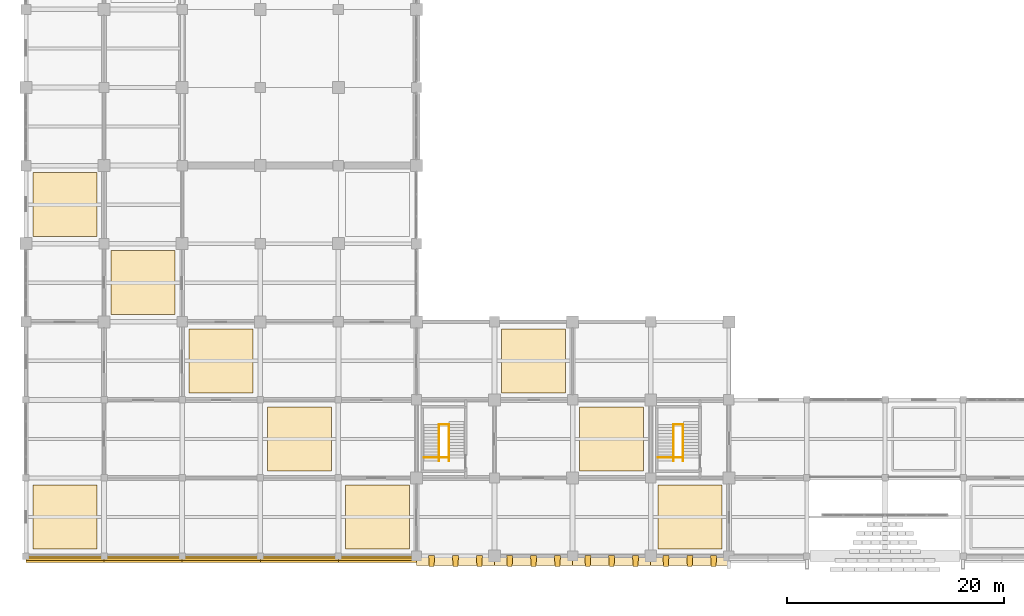
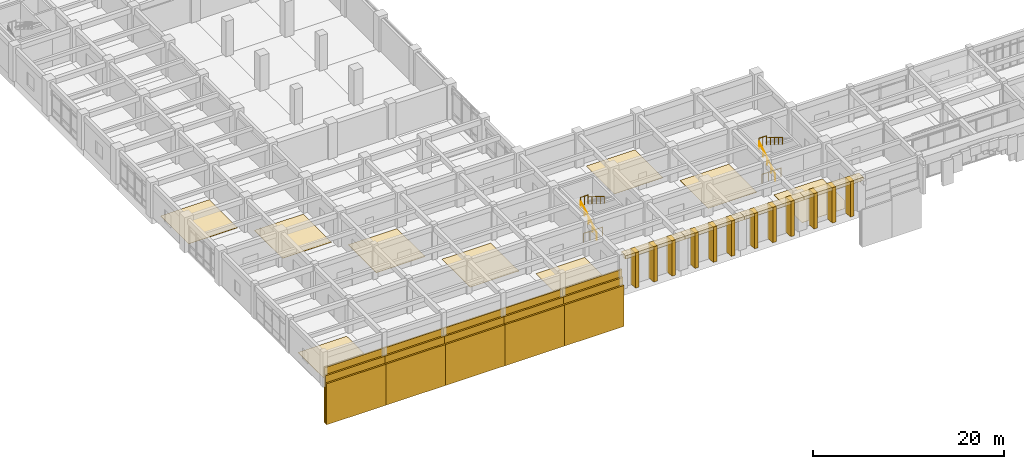
# One storey, part 73 of 81: 40 coverings, 8 railings.
"""IFC4 building model written with IfcOpenShell, lengths in metres."""

import ifcopenshell
import ifcopenshell.guid

model = None  # the IFC model being written
_history = None  # IfcOwnerHistory: only IFC2X3 demands one
_inside = {}  # id of a spatial element -> (the spatial element, [elements in it])
_under = {}  # id of a project, library or spatial element -> (it, [spatial elements below it])
_declared = {}  # id of a project -> (the project, [libraries it declares])
_typed = {}  # id of a type object -> (the type object, [elements of that type])
_made_of = {}  # id of a material, layer set ... -> (it, [elements and type objects made of it])


def new_model(schema):
    """Start an empty IFC model of exactly this schema.

    Asked for "IFC4X3", IfcOpenShell would pick the latest addendum, in which some entities
    have other attributes; the version numbers below select the first issue.
    IFC2X3 requires an IfcOwnerHistory on every rooted entity: one is made here for all.
    """
    global model, _history
    if schema == "IFC4X3":
        model = ifcopenshell.file(schema_version=(4, 3, 0, 0))
    else:
        model = ifcopenshell.file(schema=schema)
    _inside.clear()
    _under.clear()
    _declared.clear()
    _typed.clear()
    _made_of.clear()
    _history = None
    if model.schema == "IFC2X3":
        org = make("IfcOrganization", Name="unknown")
        user = make(
            "IfcPersonAndOrganization",
            ThePerson=make("IfcPerson", FamilyName="unknown"),
            TheOrganization=org,
        )
        app = make(
            "IfcApplication",
            ApplicationDeveloper=org,
            Version="unknown",
            ApplicationFullName="unknown",
            ApplicationIdentifier="unknown",
        )
        _history = make(
            "IfcOwnerHistory",
            OwningUser=user,
            OwningApplication=app,
            ChangeAction="ADDED",
            CreationDate=0,
        )
    return model


def make(cls, **values):
    """One entity of the class cls with the attributes given. An attribute that is None is left unset."""
    return model.create_entity(
        cls, **{name: value for name, value in values.items() if value is not None}
    )


def rooted(cls, **values):
    """An entity with a GlobalId (a new one), such as an element, a storey or a relation."""
    return make(cls, GlobalId=ifcopenshell.guid.new(), OwnerHistory=_history, **values)


def si_unit(unit_type, name, prefix=None):
    """IfcSIUnit, for example si_unit("LENGTHUNIT", "METRE", prefix="MILLI")."""
    return make("IfcSIUnit", UnitType=unit_type, Prefix=prefix, Name=name)


def assignment(units):
    """IfcUnitAssignment: the units of a project."""
    return None if units is None else make("IfcUnitAssignment", Units=units)


def point(xyz):
    """IfcCartesianPoint."""
    return None if xyz is None else make("IfcCartesianPoint", Coordinates=xyz)


def direction(xyz):
    """IfcDirection."""
    return None if xyz is None else make("IfcDirection", DirectionRatios=xyz)


def frame(location, z_axis=None, x_axis=None):
    """IfcAxis2Placement3D, a coordinate frame: its origin and axes. An axis left out is left unset."""
    return make(
        "IfcAxis2Placement3D",
        Location=point(location),
        Axis=direction(z_axis),
        RefDirection=direction(x_axis),
    )


def frame_2d(location, x_axis=None):
    """IfcAxis2Placement2D, a coordinate frame in the plane: its origin and x axis."""
    return make(
        "IfcAxis2Placement2D", Location=point(location), RefDirection=direction(x_axis)
    )


def origin():
    """The frame at (0, 0, 0) with its axes left unset."""
    return frame((0.0, 0.0, 0.0))


def origin_2d():
    """The frame at (0, 0) in the plane with its x axis left unset."""
    return frame_2d((0.0, 0.0))


def place(relative_to, where):
    """IfcLocalPlacement: puts the frame where relative to a parent placement (None: the world)."""
    return make(
        "IfcLocalPlacement", PlacementRelTo=relative_to, RelativePlacement=where
    )


def context(
    kind, dimensions, precision=None, world=None, true_north=None, identifier=None
):
    """IfcGeometricRepresentationContext, for example the 3D "Model" context."""
    return make(
        "IfcGeometricRepresentationContext",
        ContextIdentifier=identifier,
        ContextType=kind,
        CoordinateSpaceDimension=dimensions,
        Precision=precision,
        WorldCoordinateSystem=world,
        TrueNorth=true_north,
    )


def subcontext(parent, identifier, kind, view, scale=None):
    """IfcGeometricRepresentationSubContext, for example "Body" below "Model"."""
    return make(
        "IfcGeometricRepresentationSubContext",
        ContextIdentifier=identifier,
        ContextType=kind,
        ParentContext=parent,
        TargetScale=scale,
        TargetView=view,
    )


def project(units=None, contexts=None):
    """IfcProject with its units and contexts."""
    return rooted(
        "IfcProject",
        Name="project",
        RepresentationContexts=contexts,
        UnitsInContext=assignment(units),
    )


def spatial(cls, under=None, at=None, **own):
    """A site, building, storey or space (cls), placed at a placement, below another one or the project."""
    s = rooted(cls, ObjectPlacement=at, **own)
    if under is not None:
        _under.setdefault(under.id(), (under, []))[1].append(s)
    return s


def polyline(points):
    """IfcPolyline through the points."""
    return make("IfcPolyline", Points=[point(p) for p in points])


def profile(cls, at=None, kind="AREA", **sizes):
    """A parametric profile (cls). Its sizes go by their IFC names, for example OverallWidth=200.0."""
    return make(cls, ProfileType=kind, Position=at, **sizes)


def circle(**sizes):
    """IfcCircleProfileDef."""
    return profile("IfcCircleProfileDef", **sizes)


def outline(outer, holes=None, kind="AREA"):
    """IfcArbitraryClosedProfileDef: a profile drawn as a closed curve; with holes, ...WithVoids."""
    if holes is None:
        return make("IfcArbitraryClosedProfileDef", ProfileType=kind, OuterCurve=outer)
    return make(
        "IfcArbitraryProfileDefWithVoids",
        ProfileType=kind,
        OuterCurve=outer,
        InnerCurves=holes,
    )


def extrude(swept, where, along, depth):
    """IfcExtrudedAreaSolid: the profile swept, set in the frame where, extruded along a direction by depth."""
    return make(
        "IfcExtrudedAreaSolid",
        SweptArea=swept,
        Position=where,
        ExtrudedDirection=direction(along),
        Depth=depth,
    )


def shape(context_of_items, identifier, shape_type, items):
    """IfcShapeRepresentation: the items that make up one representation, for example the "Body"."""
    return make(
        "IfcShapeRepresentation",
        ContextOfItems=context_of_items,
        RepresentationIdentifier=identifier,
        RepresentationType=shape_type,
        Items=items,
    )


def material(Name=None, Category=None):
    """IfcMaterial."""
    return make("IfcMaterial", Name=Name, Category=Category)


def layer(
    of_material, thickness, ventilated=None, Name=None, Category=None, Priority=None
):
    """IfcMaterialLayer: one layer of a wall or slab, of a material (None: an air gap)."""
    return make(
        "IfcMaterialLayer",
        Material=of_material,
        LayerThickness=thickness,
        IsVentilated=ventilated,
        Name=Name,
        Category=Category,
        Priority=Priority,
    )


def layer_set(layers, Name=None):
    """IfcMaterialLayerSet."""
    return make("IfcMaterialLayerSet", MaterialLayers=layers, LayerSetName=Name)


def made_of(thing, what):
    """Note that an element or type object is made of a material, layer set ...; save() writes the relation."""
    if what is not None:
        _made_of.setdefault(what.id(), (what, []))[1].append(thing)
    return thing


def type_object(cls, material=None, **own):
    """A type object (cls), such as IfcWallType, which elements share."""
    return made_of(rooted(cls, **own), material)


def element(
    cls,
    number,
    at=None,
    inside=None,
    cuts=None,
    type_object=None,
    material=None,
    context=None,
    identifier="Body",
    shape_type=None,
    held_by="IfcProductDefinitionShape",
    body=None,
    shapes=None,
    **own,
):
    """One element of the class cls, such as IfcWall. Its Tag is "e" and its number.

    at: its placement. inside: the storey or other place that contains it. cuts: it is an
    opening in that element (IfcRelVoidsElement). A single representation is given by context,
    identifier, shape_type and body (its items); several are given by shapes. held_by: the class
    of the entity that holds the representations. save() writes the other relations.
    """
    e = rooted(cls, Tag="e%d" % number, ObjectPlacement=at, **own)
    if body is not None:
        shapes = [shape(context, identifier, shape_type, body)]
    if shapes is not None:
        e.Representation = make(held_by, Representations=shapes)
    if inside is not None:
        _inside.setdefault(inside.id(), (inside, []))[1].append(e)
    if cuts is not None:
        rooted(
            "IfcRelVoidsElement", RelatingBuildingElement=cuts, RelatedOpeningElement=e
        )
    if type_object is not None:
        _typed.setdefault(type_object.id(), (type_object, []))[1].append(e)
    return made_of(e, material)


def aggregate(whole, parts):
    """IfcRelAggregates: a whole, such as a stair, and the parts it consists of."""
    return rooted("IfcRelAggregates", RelatingObject=whole, RelatedObjects=parts)


def save(model, path):
    """Write the relations noted so far, then the file.

    IfcRelAggregates (storeys below a building ...), IfcRelContainedInSpatialStructure (elements
    in a storey), IfcRelDefinesByType, IfcRelAssociatesMaterial and IfcRelDeclares: one each for
    every whole, place, type object, material and project.
    """
    for whole, parts in _under.values():
        aggregate(whole, parts)
    for where, things in _inside.values():
        rooted(
            "IfcRelContainedInSpatialStructure",
            RelatedElements=things,
            RelatingStructure=where,
        )
    for kind, things in _typed.values():
        rooted("IfcRelDefinesByType", RelatedObjects=things, RelatingType=kind)
    for what, things in _made_of.values():
        rooted("IfcRelAssociatesMaterial", RelatedObjects=things, RelatingMaterial=what)
    for by, libraries in _declared.values():
        rooted("IfcRelDeclares", RelatingContext=by, RelatedDefinitions=libraries)
    model.write(path)


model = new_model("IFC4")

# Units and contexts
model_context = context("Model", 3, precision=1e-05, world=origin(), true_north=direction((0.0, 1.0)))
body_context = subcontext(model_context, "Body", "Model", "MODEL_VIEW")
ifc_project = project(units=[si_unit("LENGTHUNIT", "METRE"), si_unit("AREAUNIT", "SQUARE_METRE"), si_unit("VOLUMEUNIT", "CUBIC_METRE"), si_unit("PLANEANGLEUNIT", "RADIAN"), si_unit("MASSUNIT", "GRAM", prefix="KILO")], contexts=[model_context])

# Site, building, storey
site_placement = place(None, origin())
site = spatial("IfcSite", under=ifc_project, at=site_placement, CompositionType="ELEMENT")
building_placement = place(site_placement, origin())
building = spatial("IfcBuilding", under=site, at=building_placement, Name="Kavelor Marine Aquarium", CompositionType="ELEMENT")
storey_placement = place(building_placement, frame((0.0, 0.0, 4.679931640625)))
storey = spatial("IfcBuildingStorey", under=building, at=storey_placement, Name="L01", CompositionType="ELEMENT", Elevation=4.679931640625)

# Coverings
ifc_material_1 = material(Name="Concrete C45/55", Category="concrete")
ifc_layer_1 = layer(ifc_material_1, 0.360107421875)
ifc_layer_set_1 = layer_set([ifc_layer_1], Name="COV-BND4")
covering_type_1 = type_object("IfcCoveringType", Name="COV-BND4", PredefinedType="CLADDING", material=ifc_layer_set_1)
covering_1_placement = place(storey_placement, frame((0.0, 0.0, -4.679931640625)))
element("IfcCovering", 1, at=covering_1_placement, inside=storey, type_object=covering_type_1, Name="band:v2s:4:00", PredefinedType="CLADDING", context=body_context, shape_type="SweptSolid", body=[
    extrude(outline(polyline([(3.199951171875, 2.18994140625), (10.39990234375, 2.18994140625), (10.39990234375, 2.409912109375), (3.199951171875, 2.409912109375), (3.199951171875, 2.18994140625)])), origin(), (0.0, 0.0, 1.0), 5.25),
])
covering_2_placement = place(storey_placement, frame((0.0, 0.0, -4.679931640625)))
element("IfcCovering", 2, at=covering_2_placement, inside=storey, type_object=covering_type_1, Name="band:v2s:4:01", PredefinedType="CLADDING", context=body_context, shape_type="SweptSolid", body=[
    extrude(outline(polyline([(10.39990234375, 2.18994140625), (17.60009765625, 2.18994140625), (17.60009765625, 2.409912109375), (10.39990234375, 2.409912109375), (10.39990234375, 2.18994140625)])), origin(), (0.0, 0.0, 1.0), 5.25),
])
covering_3_placement = place(storey_placement, frame((0.0, 0.0, -4.679931640625)))
element("IfcCovering", 3, at=covering_3_placement, inside=storey, type_object=covering_type_1, Name="band:v2s:4:02", PredefinedType="CLADDING", context=body_context, shape_type="SweptSolid", body=[
    extrude(outline(polyline([(17.60009765625, 2.18994140625), (24.800048828125, 2.18994140625), (24.800048828125, 2.409912109375), (17.60009765625, 2.409912109375), (17.60009765625, 2.18994140625)])), origin(), (0.0, 0.0, 1.0), 5.25),
])
covering_4_placement = place(storey_placement, frame((0.0, 0.0, -4.679931640625)))
element("IfcCovering", 4, at=covering_4_placement, inside=storey, type_object=covering_type_1, Name="band:v2s:4:03", PredefinedType="CLADDING", context=body_context, shape_type="SweptSolid", body=[
    extrude(outline(polyline([(24.800048828125, 2.18994140625), (32.0, 2.18994140625), (32.0, 2.409912109375), (24.800048828125, 2.409912109375), (24.800048828125, 2.18994140625)])), origin(), (0.0, 0.0, 1.0), 5.25),
])
covering_5_placement = place(storey_placement, frame((0.0, 0.0, -4.679931640625)))
element("IfcCovering", 5, at=covering_5_placement, inside=storey, type_object=covering_type_1, Name="band:v2s:4:04", PredefinedType="CLADDING", context=body_context, shape_type="SweptSolid", body=[
    extrude(outline(polyline([(32.0, 2.18994140625), (39.199951171875, 2.18994140625), (39.199951171875, 2.409912109375), (32.0, 2.409912109375), (32.0, 2.18994140625)])), origin(), (0.0, 0.0, 1.0), 5.25),
])
ifc_material_2 = material(Name="Concrete C45/55", Category="concrete")
ifc_layer_2 = layer(ifc_material_2, 0.3798828125)
ifc_layer_set_2 = layer_set([ifc_layer_2], Name="COV-BND5")
covering_type_2 = type_object("IfcCoveringType", Name="COV-BND5", PredefinedType="CLADDING", material=ifc_layer_set_2)
covering_6_placement = place(storey_placement, frame((0.0, 0.0, -4.679931640625)))
element("IfcCovering", 6, at=covering_6_placement, inside=storey, type_object=covering_type_2, Name="band:v2s:5:00", PredefinedType="CLADDING", context=body_context, shape_type="SweptSolid", body=[
    extrude(outline(polyline([(3.199951171875, 2.39990234375), (10.39990234375, 2.39990234375), (10.39990234375, 2.6201171875), (3.199951171875, 2.6201171875), (3.199951171875, 2.39990234375)])), origin(), (0.0, 0.0, 1.0), 6.14990234375),
])
covering_7_placement = place(storey_placement, frame((0.0, 0.0, -4.679931640625)))
element("IfcCovering", 7, at=covering_7_placement, inside=storey, type_object=covering_type_2, Name="band:v2s:5:01", PredefinedType="CLADDING", context=body_context, shape_type="SweptSolid", body=[
    extrude(outline(polyline([(10.39990234375, 2.39990234375), (17.60009765625, 2.39990234375), (17.60009765625, 2.6201171875), (10.39990234375, 2.6201171875), (10.39990234375, 2.39990234375)])), origin(), (0.0, 0.0, 1.0), 6.14990234375),
])
covering_8_placement = place(storey_placement, frame((0.0, 0.0, -4.679931640625)))
element("IfcCovering", 8, at=covering_8_placement, inside=storey, type_object=covering_type_2, Name="band:v2s:5:02", PredefinedType="CLADDING", context=body_context, shape_type="SweptSolid", body=[
    extrude(outline(polyline([(17.60009765625, 2.39990234375), (24.800048828125, 2.39990234375), (24.800048828125, 2.6201171875), (17.60009765625, 2.6201171875), (17.60009765625, 2.39990234375)])), origin(), (0.0, 0.0, 1.0), 6.14990234375),
])
covering_9_placement = place(storey_placement, frame((0.0, 0.0, -4.679931640625)))
element("IfcCovering", 9, at=covering_9_placement, inside=storey, type_object=covering_type_2, Name="band:v2s:5:03", PredefinedType="CLADDING", context=body_context, shape_type="SweptSolid", body=[
    extrude(outline(polyline([(24.800048828125, 2.39990234375), (32.0, 2.39990234375), (32.0, 2.6201171875), (24.800048828125, 2.6201171875), (24.800048828125, 2.39990234375)])), origin(), (0.0, 0.0, 1.0), 6.14990234375),
])
covering_10_placement = place(storey_placement, frame((0.0, 0.0, -4.679931640625)))
element("IfcCovering", 10, at=covering_10_placement, inside=storey, type_object=covering_type_2, Name="band:v2s:5:04", PredefinedType="CLADDING", context=body_context, shape_type="SweptSolid", body=[
    extrude(outline(polyline([(32.0, 2.39990234375), (39.199951171875, 2.39990234375), (39.199951171875, 2.6201171875), (32.0, 2.6201171875), (32.0, 2.39990234375)])), origin(), (0.0, 0.0, 1.0), 6.14990234375),
])
ifc_material_3 = material(Name="Concrete C45/55", Category="concrete")
ifc_layer_3 = layer(ifc_material_3, 0.39990234375)
ifc_layer_set_3 = layer_set([ifc_layer_3], Name="COV-BND6")
covering_type_3 = type_object("IfcCoveringType", Name="COV-BND6", PredefinedType="CLADDING", material=ifc_layer_set_3)
covering_11_placement = place(storey_placement, frame((0.0, 0.0, -4.679931640625)))
element("IfcCovering", 11, at=covering_11_placement, inside=storey, type_object=covering_type_3, Name="band:v2s:6:00", PredefinedType="CLADDING", context=body_context, shape_type="SweptSolid", body=[
    extrude(outline(polyline([(3.199951171875, 2.610107421875), (10.39990234375, 2.610107421875), (10.39990234375, 2.800048828125), (3.199951171875, 2.800048828125), (3.199951171875, 2.610107421875)])), origin(), (0.0, 0.0, 1.0), 7.050048828125),
])
covering_12_placement = place(storey_placement, frame((0.0, 0.0, -4.679931640625)))
element("IfcCovering", 12, at=covering_12_placement, inside=storey, type_object=covering_type_3, Name="band:v2s:6:01", PredefinedType="CLADDING", context=body_context, shape_type="SweptSolid", body=[
    extrude(outline(polyline([(10.39990234375, 2.610107421875), (17.60009765625, 2.610107421875), (17.60009765625, 2.800048828125), (10.39990234375, 2.800048828125), (10.39990234375, 2.610107421875)])), origin(), (0.0, 0.0, 1.0), 7.050048828125),
])
covering_13_placement = place(storey_placement, frame((0.0, 0.0, -4.679931640625)))
element("IfcCovering", 13, at=covering_13_placement, inside=storey, type_object=covering_type_3, Name="band:v2s:6:02", PredefinedType="CLADDING", context=body_context, shape_type="SweptSolid", body=[
    extrude(outline(polyline([(17.60009765625, 2.610107421875), (24.800048828125, 2.610107421875), (24.800048828125, 2.800048828125), (17.60009765625, 2.800048828125), (17.60009765625, 2.610107421875)])), origin(), (0.0, 0.0, 1.0), 7.050048828125),
])
covering_14_placement = place(storey_placement, frame((0.0, 0.0, -4.679931640625)))
element("IfcCovering", 14, at=covering_14_placement, inside=storey, type_object=covering_type_3, Name="band:v2s:6:03", PredefinedType="CLADDING", context=body_context, shape_type="SweptSolid", body=[
    extrude(outline(polyline([(24.800048828125, 2.610107421875), (32.0, 2.610107421875), (32.0, 2.800048828125), (24.800048828125, 2.800048828125), (24.800048828125, 2.610107421875)])), origin(), (0.0, 0.0, 1.0), 7.050048828125),
])
covering_15_placement = place(storey_placement, frame((0.0, 0.0, -4.679931640625)))
element("IfcCovering", 15, at=covering_15_placement, inside=storey, type_object=covering_type_3, Name="band:v2s:6:04", PredefinedType="CLADDING", context=body_context, shape_type="SweptSolid", body=[
    extrude(outline(polyline([(32.0, 2.610107421875), (39.199951171875, 2.610107421875), (39.199951171875, 2.800048828125), (32.0, 2.800048828125), (32.0, 2.610107421875)])), origin(), (0.0, 0.0, 1.0), 7.050048828125),
])
ifc_material_4 = material(Name="Polished Coastal Terrazzo Flooring")
ifc_layer_4 = layer(ifc_material_4, 0.030029296875)
ifc_layer_set_4 = layer_set([ifc_layer_4], Name="COV-FL1")
covering_type_4 = type_object("IfcCoveringType", Name="COV-FL1", PredefinedType="FLOORING", material=ifc_layer_set_4)
covering_16_placement = place(storey_placement, origin())
element("IfcCovering", 16, at=covering_16_placement, inside=storey, type_object=covering_type_4, Name="flr:L01:00_00", PredefinedType="FLOORING", context=body_context, shape_type="SweptSolid", body=[
    extrude(outline(polyline([(3.85009765625, 3.449951171875), (9.75, 3.449951171875), (9.75, 9.35009765625), (3.85009765625, 9.35009765625), (3.85009765625, 3.449951171875)])), origin(), (0.0, 0.0, 1.0), 0.030029296875),
])
covering_17_placement = place(storey_placement, origin())
element("IfcCovering", 17, at=covering_17_placement, inside=storey, type_object=covering_type_4, Name="flr:L01:00_04", PredefinedType="FLOORING", context=body_context, shape_type="SweptSolid", body=[
    extrude(outline(polyline([(3.85009765625, 32.25), (9.75, 32.25), (9.75, 38.14990234375), (3.85009765625, 38.14990234375), (3.85009765625, 32.25)])), origin(), (0.0, 0.0, 1.0), 0.030029296875),
])
covering_18_placement = place(storey_placement, origin())
element("IfcCovering", 18, at=covering_18_placement, inside=storey, type_object=covering_type_4, Name="flr:L01:01_03", PredefinedType="FLOORING", context=body_context, shape_type="SweptSolid", body=[
    extrude(outline(polyline([(11.050048828125, 25.050048828125), (16.949951171875, 25.050048828125), (16.949951171875, 30.949951171875), (11.050048828125, 30.949951171875), (11.050048828125, 25.050048828125)])), origin(), (0.0, 0.0, 1.0), 0.030029296875),
])
covering_19_placement = place(storey_placement, origin())
element("IfcCovering", 19, at=covering_19_placement, inside=storey, type_object=covering_type_4, Name="flr:L01:02_02", PredefinedType="FLOORING", context=body_context, shape_type="SweptSolid", body=[
    extrude(outline(polyline([(18.25, 17.85009765625), (24.14990234375, 17.85009765625), (24.14990234375, 23.75), (18.25, 23.75), (18.25, 17.85009765625)])), origin(), (0.0, 0.0, 1.0), 0.030029296875),
])
covering_20_placement = place(storey_placement, origin())
element("IfcCovering", 20, at=covering_20_placement, inside=storey, type_object=covering_type_4, Name="flr:L01:03_01", PredefinedType="FLOORING", context=body_context, shape_type="SweptSolid", body=[
    extrude(outline(polyline([(25.449951171875, 10.64990234375), (31.35009765625, 10.64990234375), (31.35009765625, 16.550048828125), (25.449951171875, 16.550048828125), (25.449951171875, 10.64990234375)])), origin(), (0.0, 0.0, 1.0), 0.030029296875),
])
covering_21_placement = place(storey_placement, origin())
element("IfcCovering", 21, at=covering_21_placement, inside=storey, type_object=covering_type_4, Name="flr:L01:04_00", PredefinedType="FLOORING", context=body_context, shape_type="SweptSolid", body=[
    extrude(outline(polyline([(32.64990234375, 3.449951171875), (38.550048828125, 3.449951171875), (38.550048828125, 9.35009765625), (32.64990234375, 9.35009765625), (32.64990234375, 3.449951171875)])), origin(), (0.0, 0.0, 1.0), 0.030029296875),
])
covering_22_placement = place(storey_placement, origin())
element("IfcCovering", 22, at=covering_22_placement, inside=storey, type_object=covering_type_4, Name="flr:L01:07_01", PredefinedType="FLOORING", context=body_context, shape_type="SweptSolid", body=[
    extrude(outline(polyline([(54.25, 10.64990234375), (60.14990234375, 10.64990234375), (60.14990234375, 16.550048828125), (54.25, 16.550048828125), (54.25, 10.64990234375)])), origin(), (0.0, 0.0, 1.0), 0.030029296875),
])
ifc_material_5 = material(Name="Slip-Resistant Marine Epoxy Husbandry Flooring")
ifc_layer_5 = layer(ifc_material_5, 0.02490234375)
ifc_layer_set_5 = layer_set([ifc_layer_5], Name="COV-FL2")
covering_type_5 = type_object("IfcCoveringType", Name="COV-FL2", PredefinedType="FLOORING", material=ifc_layer_set_5)
covering_23_placement = place(storey_placement, origin())
element("IfcCovering", 23, at=covering_23_placement, inside=storey, type_object=covering_type_5, Name="flr:L01:06_02", PredefinedType="FLOORING", context=body_context, shape_type="SweptSolid", body=[
    extrude(outline(polyline([(47.050048828125, 17.85009765625), (52.949951171875, 17.85009765625), (52.949951171875, 23.75), (47.050048828125, 23.75), (47.050048828125, 17.85009765625)])), origin(), (0.0, 0.0, 1.0), 0.025146484375),
])
covering_24_placement = place(storey_placement, origin())
element("IfcCovering", 24, at=covering_24_placement, inside=storey, type_object=covering_type_5, Name="flr:L01:08_00", PredefinedType="FLOORING", context=body_context, shape_type="SweptSolid", body=[
    extrude(outline(polyline([(61.449951171875, 3.449951171875), (67.35009765625, 3.449951171875), (67.35009765625, 9.35009765625), (61.449951171875, 9.35009765625), (61.449951171875, 3.449951171875)])), origin(), (0.0, 0.0, 1.0), 0.025146484375),
])
ifc_material_6 = material(Name="Sculptural Board-Marked Concrete C45/55 Bastion Rib", Category="concrete")
ifc_layer_6 = layer(ifc_material_6, 0.360107421875)
ifc_layer_set_6 = layer_set([ifc_layer_6], Name="COV-RB1")
covering_type_6 = type_object("IfcCoveringType", Name="COV-RB1", PredefinedType="CLADDING", material=ifc_layer_set_6)
covering_25_placement = place(storey_placement, origin())
element("IfcCovering", 25, at=covering_25_placement, inside=storey, type_object=covering_type_6, Name="bastion:rib:L01:05:0", PredefinedType="CLADDING", context=body_context, shape_type="SweptSolid", body=[
    extrude(outline(polyline([(40.3798828125, 1.840087890625), (40.820068359375, 1.840087890625), (40.8798828125, 2.85009765625), (40.320068359375, 2.85009765625), (40.3798828125, 1.840087890625)])), origin(), (0.0, 0.0, 1.0), 4.5),
])
covering_26_placement = place(storey_placement, origin())
element("IfcCovering", 26, at=covering_26_placement, inside=storey, type_object=covering_type_6, Name="bastion:rib:L01:05:1", PredefinedType="CLADDING", context=body_context, shape_type="SweptSolid", body=[
    extrude(outline(polyline([(42.580078125, 1.840087890625), (43.02001953125, 1.840087890625), (43.080078125, 2.85009765625), (42.52001953125, 2.85009765625), (42.580078125, 1.840087890625)])), origin(), (0.0, 0.0, 1.0), 4.5),
])
covering_27_placement = place(storey_placement, origin())
element("IfcCovering", 27, at=covering_27_placement, inside=storey, type_object=covering_type_6, Name="bastion:rib:L01:05:2", PredefinedType="CLADDING", context=body_context, shape_type="SweptSolid", body=[
    extrude(outline(polyline([(44.780029296875, 1.840087890625), (45.219970703125, 1.840087890625), (45.280029296875, 2.85009765625), (44.719970703125, 2.85009765625), (44.780029296875, 1.840087890625)])), origin(), (0.0, 0.0, 1.0), 4.5),
])
covering_28_placement = place(storey_placement, frame((0.0, 0.0, 4.080078125)))
element("IfcCovering", 28, at=covering_28_placement, inside=storey, type_object=covering_type_6, Name="bastion:band:L01:05", PredefinedType="CLADDING", context=body_context, shape_type="SweptSolid", body=[
    extrude(outline(polyline([(39.199951171875, 1.919921875), (46.39990234375, 1.919921875), (46.39990234375, 2.85009765625), (39.199951171875, 2.85009765625), (39.199951171875, 1.919921875)])), origin(), (0.0, 0.0, 1.0), 0.419921875),
])
covering_29_placement = place(storey_placement, origin())
element("IfcCovering", 29, at=covering_29_placement, inside=storey, type_object=covering_type_6, Name="bastion:rib:L01:06:0", PredefinedType="CLADDING", context=body_context, shape_type="SweptSolid", body=[
    extrude(outline(polyline([(47.580078125, 1.840087890625), (48.02001953125, 1.840087890625), (48.080078125, 2.85009765625), (47.52001953125, 2.85009765625), (47.580078125, 1.840087890625)])), origin(), (0.0, 0.0, 1.0), 4.5),
])
covering_30_placement = place(storey_placement, origin())
element("IfcCovering", 30, at=covering_30_placement, inside=storey, type_object=covering_type_6, Name="bastion:rib:L01:06:1", PredefinedType="CLADDING", context=body_context, shape_type="SweptSolid", body=[
    extrude(outline(polyline([(49.780029296875, 1.840087890625), (50.219970703125, 1.840087890625), (50.280029296875, 2.85009765625), (49.719970703125, 2.85009765625), (49.780029296875, 1.840087890625)])), origin(), (0.0, 0.0, 1.0), 4.5),
])
covering_31_placement = place(storey_placement, origin())
element("IfcCovering", 31, at=covering_31_placement, inside=storey, type_object=covering_type_6, Name="bastion:rib:L01:06:2", PredefinedType="CLADDING", context=body_context, shape_type="SweptSolid", body=[
    extrude(outline(polyline([(51.97998046875, 1.840087890625), (52.419921875, 1.840087890625), (52.47998046875, 2.85009765625), (51.919921875, 2.85009765625), (51.97998046875, 1.840087890625)])), origin(), (0.0, 0.0, 1.0), 4.5),
])
covering_32_placement = place(storey_placement, frame((0.0, 0.0, 4.080078125)))
element("IfcCovering", 32, at=covering_32_placement, inside=storey, type_object=covering_type_6, Name="bastion:band:L01:06", PredefinedType="CLADDING", context=body_context, shape_type="SweptSolid", body=[
    extrude(outline(polyline([(46.39990234375, 1.919921875), (53.60009765625, 1.919921875), (53.60009765625, 2.85009765625), (46.39990234375, 2.85009765625), (46.39990234375, 1.919921875)])), origin(), (0.0, 0.0, 1.0), 0.419921875),
])
covering_33_placement = place(storey_placement, origin())
element("IfcCovering", 33, at=covering_33_placement, inside=storey, type_object=covering_type_6, Name="bastion:rib:L01:07:0", PredefinedType="CLADDING", context=body_context, shape_type="SweptSolid", body=[
    extrude(outline(polyline([(54.780029296875, 1.840087890625), (55.219970703125, 1.840087890625), (55.280029296875, 2.85009765625), (54.719970703125, 2.85009765625), (54.780029296875, 1.840087890625)])), origin(), (0.0, 0.0, 1.0), 4.5),
])
covering_34_placement = place(storey_placement, origin())
element("IfcCovering", 34, at=covering_34_placement, inside=storey, type_object=covering_type_6, Name="bastion:rib:L01:07:1", PredefinedType="CLADDING", context=body_context, shape_type="SweptSolid", body=[
    extrude(outline(polyline([(56.97998046875, 1.840087890625), (57.419921875, 1.840087890625), (57.47998046875, 2.85009765625), (56.919921875, 2.85009765625), (56.97998046875, 1.840087890625)])), origin(), (0.0, 0.0, 1.0), 4.5),
])
covering_35_placement = place(storey_placement, origin())
element("IfcCovering", 35, at=covering_35_placement, inside=storey, type_object=covering_type_6, Name="bastion:rib:L01:07:2", PredefinedType="CLADDING", context=body_context, shape_type="SweptSolid", body=[
    extrude(outline(polyline([(59.179931640625, 1.840087890625), (59.6201171875, 1.840087890625), (59.679931640625, 2.85009765625), (59.1201171875, 2.85009765625), (59.179931640625, 1.840087890625)])), origin(), (0.0, 0.0, 1.0), 4.5),
])
covering_36_placement = place(storey_placement, frame((0.0, 0.0, 4.080078125)))
element("IfcCovering", 36, at=covering_36_placement, inside=storey, type_object=covering_type_6, Name="bastion:band:L01:07", PredefinedType="CLADDING", context=body_context, shape_type="SweptSolid", body=[
    extrude(outline(polyline([(53.60009765625, 1.919921875), (60.800048828125, 1.919921875), (60.800048828125, 2.85009765625), (53.60009765625, 2.85009765625), (53.60009765625, 1.919921875)])), origin(), (0.0, 0.0, 1.0), 0.419921875),
])
covering_37_placement = place(storey_placement, origin())
element("IfcCovering", 37, at=covering_37_placement, inside=storey, type_object=covering_type_6, Name="bastion:rib:L01:08:0", PredefinedType="CLADDING", context=body_context, shape_type="SweptSolid", body=[
    extrude(outline(polyline([(61.97998046875, 1.840087890625), (62.419921875, 1.840087890625), (62.47998046875, 2.85009765625), (61.919921875, 2.85009765625), (61.97998046875, 1.840087890625)])), origin(), (0.0, 0.0, 1.0), 4.5),
])
covering_38_placement = place(storey_placement, origin())
element("IfcCovering", 38, at=covering_38_placement, inside=storey, type_object=covering_type_6, Name="bastion:rib:L01:08:1", PredefinedType="CLADDING", context=body_context, shape_type="SweptSolid", body=[
    extrude(outline(polyline([(64.179931640625, 1.840087890625), (64.6201171875, 1.840087890625), (64.679931640625, 2.85009765625), (64.1201171875, 2.85009765625), (64.179931640625, 1.840087890625)])), origin(), (0.0, 0.0, 1.0), 4.5),
])
covering_39_placement = place(storey_placement, origin())
element("IfcCovering", 39, at=covering_39_placement, inside=storey, type_object=covering_type_6, Name="bastion:rib:L01:08:2", PredefinedType="CLADDING", context=body_context, shape_type="SweptSolid", body=[
    extrude(outline(polyline([(66.3798828125, 1.840087890625), (66.820068359375, 1.840087890625), (66.8798828125, 2.85009765625), (66.320068359375, 2.85009765625), (66.3798828125, 1.840087890625)])), origin(), (0.0, 0.0, 1.0), 4.5),
])
covering_40_placement = place(storey_placement, frame((0.0, 0.0, 4.080078125)))
element("IfcCovering", 40, at=covering_40_placement, inside=storey, type_object=covering_type_6, Name="bastion:band:L01:08", PredefinedType="CLADDING", context=body_context, shape_type="SweptSolid", body=[
    extrude(outline(polyline([(60.800048828125, 1.919921875), (68.0, 1.919921875), (68.0, 2.85009765625), (60.800048828125, 2.85009765625), (60.800048828125, 1.919921875)])), origin(), (0.0, 0.0, 1.0), 0.419921875),
])

# Railings
ifc_material_7 = material(Name="Brushed Stainless Steel Wall and Flight Handrail", Category="steel")
railing_type_1 = type_object("IfcRailingType", Name="RL-HR1", PredefinedType="HANDRAIL", material=ifc_material_7)
railing_1_placement = place(storey_placement, frame((41.2900390625, 11.56005859375, 0.0)))
element("IfcRailing", 41, at=railing_1_placement, inside=storey, type_object=railing_type_1, Name="Stair Handrail ST04-1", PredefinedType="HANDRAIL", context=body_context, shape_type="SweptSolid", body=[
    extrude(circle(Radius=0.02001953125, at=origin_2d()), frame((0.0, 0.0, 0.8798828125), z_axis=(0.0, 0.850606129759, 0.525803396734), x_axis=(-1.0, 0.0, 0.0)), (0.0, 0.0, 1.0), 3.949951171875),
    extrude(circle(Radius=0.01806640625, at=origin_2d()), origin(), (0.0, 0.0, 1.0), 0.85986328125),
    extrude(circle(Radius=0.01806640625, at=origin_2d()), frame((0.0, 0.83984375, 0.519287109375)), (0.0, 0.0, 1.0), 0.85986328125),
    extrude(circle(Radius=0.01806640625, at=origin_2d()), frame((0.0, 1.679931640625, 1.03857421875)), (0.0, 0.0, 1.0), 0.85986328125),
    extrude(circle(Radius=0.01806640625, at=origin_2d()), frame((0.0, 2.52001953125, 1.5576171875)), (0.0, 0.0, 1.0), 0.85986328125),
    extrude(circle(Radius=0.01806640625, at=origin_2d()), frame((0.0, 3.35986328125, 2.076904296875)), (0.0, 0.0, 1.0), 0.85986328125),
])
railing_2_placement = place(storey_placement, frame((42.18994140625, 14.919921875, 2.25)))
element("IfcRailing", 42, at=railing_2_placement, inside=storey, type_object=railing_type_1, Name="Stair Handrail ST04-2", PredefinedType="HANDRAIL", context=body_context, shape_type="SweptSolid", body=[
    extrude(circle(Radius=0.02001953125, at=origin_2d()), frame((0.0, 0.0, 0.8798828125), z_axis=(0.0, -0.850606129759, 0.525803396734), x_axis=(1.0, 0.0, 0.0)), (0.0, 0.0, 1.0), 3.949951171875),
    extrude(circle(Radius=0.01806640625, at=origin_2d()), origin(), (0.0, 0.0, 1.0), 0.85986328125),
    extrude(circle(Radius=0.01806640625, at=origin_2d()), frame((0.0, -0.83984375, 0.519287109375)), (0.0, 0.0, 1.0), 0.85986328125),
    extrude(circle(Radius=0.01806640625, at=origin_2d()), frame((0.0, -1.679931640625, 1.03857421875)), (0.0, 0.0, 1.0), 0.85986328125),
    extrude(circle(Radius=0.01806640625, at=origin_2d()), frame((0.0, -2.52001953125, 1.5576171875)), (0.0, 0.0, 1.0), 0.85986328125),
    extrude(circle(Radius=0.01806640625, at=origin_2d()), frame((0.0, -3.35986328125, 2.076904296875)), (0.0, 0.0, 1.0), 0.85986328125),
])
railing_3_placement = place(storey_placement, frame((62.889892578125, 11.56005859375, 0.0)))
element("IfcRailing", 43, at=railing_3_placement, inside=storey, type_object=railing_type_1, Name="Stair Handrail ST12-1", PredefinedType="HANDRAIL", context=body_context, shape_type="SweptSolid", body=[
    extrude(circle(Radius=0.02001953125, at=origin_2d()), frame((0.0, 0.0, 0.8798828125), z_axis=(0.0, 0.850606129759, 0.525803396734), x_axis=(-1.0, 0.0, 0.0)), (0.0, 0.0, 1.0), 3.949951171875),
    extrude(circle(Radius=0.01806640625, at=origin_2d()), origin(), (0.0, 0.0, 1.0), 0.85986328125),
    extrude(circle(Radius=0.01806640625, at=origin_2d()), frame((0.0, 0.83984375, 0.519287109375)), (0.0, 0.0, 1.0), 0.85986328125),
    extrude(circle(Radius=0.01806640625, at=origin_2d()), frame((0.0, 1.679931640625, 1.03857421875)), (0.0, 0.0, 1.0), 0.85986328125),
    extrude(circle(Radius=0.01806640625, at=origin_2d()), frame((0.0, 2.52001953125, 1.5576171875)), (0.0, 0.0, 1.0), 0.85986328125),
    extrude(circle(Radius=0.01806640625, at=origin_2d()), frame((0.0, 3.35986328125, 2.076904296875)), (0.0, 0.0, 1.0), 0.85986328125),
])
railing_4_placement = place(storey_placement, frame((63.7900390625, 14.919921875, 2.25)))
element("IfcRailing", 44, at=railing_4_placement, inside=storey, type_object=railing_type_1, Name="Stair Handrail ST12-2", PredefinedType="HANDRAIL", context=body_context, shape_type="SweptSolid", body=[
    extrude(circle(Radius=0.02001953125, at=origin_2d()), frame((0.0, 0.0, 0.8798828125), z_axis=(0.0, -0.850606129759, 0.525803396734), x_axis=(1.0, 0.0, 0.0)), (0.0, 0.0, 1.0), 3.949951171875),
    extrude(circle(Radius=0.01806640625, at=origin_2d()), origin(), (0.0, 0.0, 1.0), 0.85986328125),
    extrude(circle(Radius=0.01806640625, at=origin_2d()), frame((0.0, -0.83984375, 0.519287109375)), (0.0, 0.0, 1.0), 0.85986328125),
    extrude(circle(Radius=0.01806640625, at=origin_2d()), frame((0.0, -1.679931640625, 1.03857421875)), (0.0, 0.0, 1.0), 0.85986328125),
    extrude(circle(Radius=0.01806640625, at=origin_2d()), frame((0.0, -2.52001953125, 1.5576171875)), (0.0, 0.0, 1.0), 0.85986328125),
    extrude(circle(Radius=0.01806640625, at=origin_2d()), frame((0.0, -3.35986328125, 2.076904296875)), (0.0, 0.0, 1.0), 0.85986328125),
])
ifc_material_8 = material(Name="Brushed Stainless Steel Stair Guardrail", Category="steel")
railing_type_2 = type_object("IfcRailingType", Name="RL-SG1", PredefinedType="GUARDRAIL", material=ifc_material_8)
railing_5_placement = place(storey_placement, frame((41.2900390625, 14.949951171875, 2.25)))
element("IfcRailing", 45, at=railing_5_placement, inside=storey, type_object=railing_type_2, Name="Landing Guardrail ST04-M", PredefinedType="GUARDRAIL", context=body_context, shape_type="SweptSolid", body=[
    extrude(circle(Radius=0.0224609375, at=origin_2d()), frame((0.0, 0.0, 1.09765625), z_axis=(1.0, 0.0, 0.0), x_axis=(0.0, 1.0, 0.0)), (0.0, 0.0, 1.0), 0.89990234375),
    extrude(circle(Radius=0.02099609375, at=origin_2d()), origin(), (0.0, 0.0, 1.0), 1.0751953125),
    extrude(circle(Radius=0.02099609375, at=origin_2d()), frame((0.449951171875, 0.0, 0.0)), (0.0, 0.0, 1.0), 1.0751953125),
    extrude(circle(Radius=0.02099609375, at=origin_2d()), frame((0.89990234375, 0.0, 0.0)), (0.0, 0.0, 1.0), 1.0751953125),
])
railing_6_placement = place(storey_placement, frame((39.8798828125, 11.8798828125, 0.0)))
element("IfcRailing", 46, at=railing_6_placement, inside=storey, type_object=railing_type_2, Name="Stairwell Guardrail ST04-W", PredefinedType="GUARDRAIL", context=body_context, shape_type="SweptSolid", body=[
    extrude(circle(Radius=0.0224609375, at=origin_2d()), frame((0.0, 0.0, 1.09765625), z_axis=(1.0, 0.0, 0.0), x_axis=(0.0, 1.0, 0.0)), (0.0, 0.0, 1.0), 2.300048828125),
    extrude(circle(Radius=0.02099609375, at=origin_2d()), origin(), (0.0, 0.0, 1.0), 1.0751953125),
    extrude(circle(Radius=0.02099609375, at=origin_2d()), frame((0.7666015625, 0.0, 0.0)), (0.0, 0.0, 1.0), 1.0751953125),
    extrude(circle(Radius=0.02099609375, at=origin_2d()), frame((1.533447265625, 0.0, 0.0)), (0.0, 0.0, 1.0), 1.0751953125),
    extrude(circle(Radius=0.02099609375, at=origin_2d()), frame((2.300048828125, 0.0, 0.0)), (0.0, 0.0, 1.0), 1.0751953125),
])
railing_7_placement = place(storey_placement, frame((62.889892578125, 14.949951171875, 2.25)))
element("IfcRailing", 47, at=railing_7_placement, inside=storey, type_object=railing_type_2, Name="Landing Guardrail ST12-M", PredefinedType="GUARDRAIL", context=body_context, shape_type="SweptSolid", body=[
    extrude(circle(Radius=0.0224609375, at=origin_2d()), frame((0.0, 0.0, 1.09765625), z_axis=(1.0, 0.0, 0.0), x_axis=(0.0, 1.0, 0.0)), (0.0, 0.0, 1.0), 0.900146484375),
    extrude(circle(Radius=0.02099609375, at=origin_2d()), origin(), (0.0, 0.0, 1.0), 1.0751953125),
    extrude(circle(Radius=0.02099609375, at=origin_2d()), frame((0.4501953125, 0.0, 0.0)), (0.0, 0.0, 1.0), 1.0751953125),
    extrude(circle(Radius=0.02099609375, at=origin_2d()), frame((0.900146484375, 0.0, 0.0)), (0.0, 0.0, 1.0), 1.0751953125),
])
railing_8_placement = place(storey_placement, frame((61.47998046875, 11.8798828125, 0.0)))
element("IfcRailing", 48, at=railing_8_placement, inside=storey, type_object=railing_type_2, Name="Stairwell Guardrail ST12-W", PredefinedType="GUARDRAIL", context=body_context, shape_type="SweptSolid", body=[
    extrude(circle(Radius=0.0224609375, at=origin_2d()), frame((0.0, 0.0, 1.09765625), z_axis=(1.0, 0.0, 0.0), x_axis=(0.0, 1.0, 0.0)), (0.0, 0.0, 1.0), 2.300048828125),
    extrude(circle(Radius=0.02099609375, at=origin_2d()), origin(), (0.0, 0.0, 1.0), 1.0751953125),
    extrude(circle(Radius=0.02099609375, at=origin_2d()), frame((0.7666015625, 0.0, 0.0)), (0.0, 0.0, 1.0), 1.0751953125),
    extrude(circle(Radius=0.02099609375, at=origin_2d()), frame((1.533447265625, 0.0, 0.0)), (0.0, 0.0, 1.0), 1.0751953125),
    extrude(circle(Radius=0.02099609375, at=origin_2d()), frame((2.300048828125, 0.0, 0.0)), (0.0, 0.0, 1.0), 1.0751953125),
])

save(model, "model.ifc")
